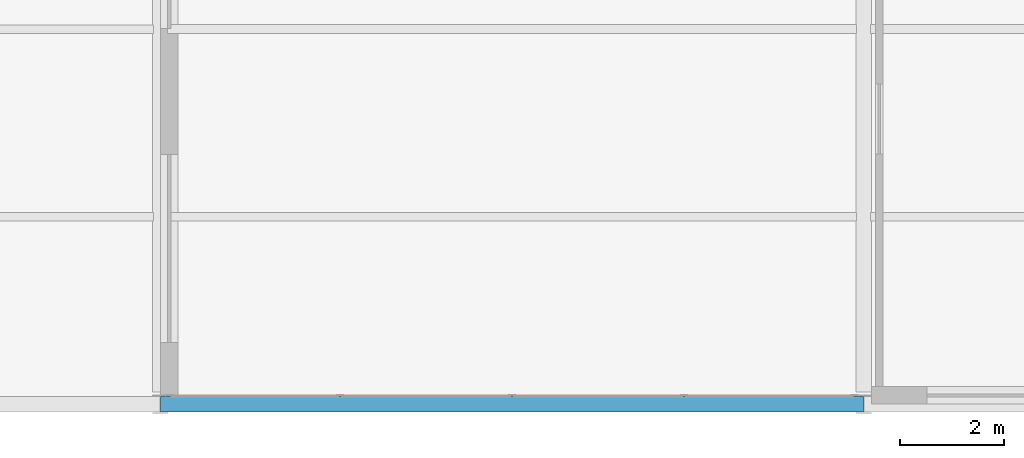
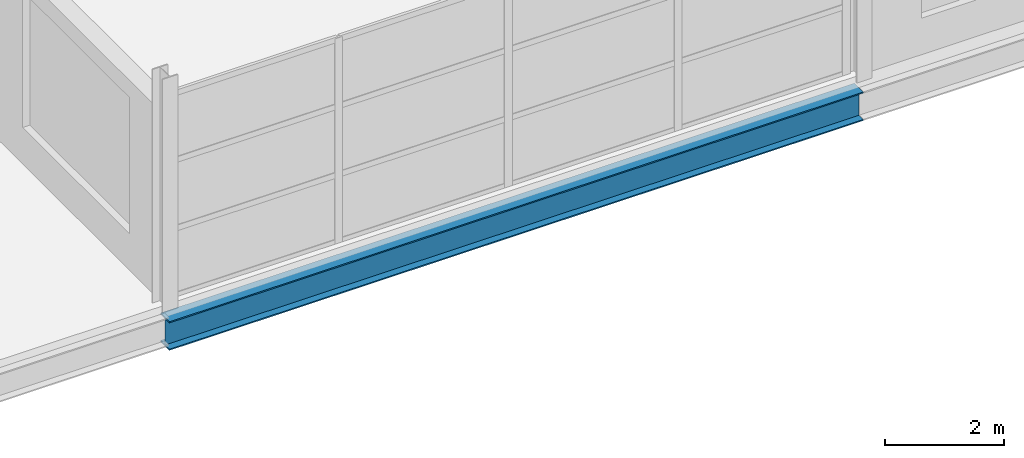
# One storey, part 79 of 134: 1 beam.
"""IFC4 building model written with IfcOpenShell, lengths in metres."""

from ifc_helpers import new_model, si_unit, direction, frame, origin, origin_2d, place, context, subcontext, project, spatial, i_section, extrude, material, material_profile, profile_set, type_object, element, save


model = new_model("IFC4")

# Units and contexts
model_context = context("Model", 3, precision=1e-05, world=origin(), true_north=direction((0.0, 1.0)))
body_context = subcontext(model_context, "Body", "Model", "MODEL_VIEW")
ifc_project = project(units=[si_unit("LENGTHUNIT", "METRE"), si_unit("AREAUNIT", "SQUARE_METRE"), si_unit("VOLUMEUNIT", "CUBIC_METRE"), si_unit("PLANEANGLEUNIT", "RADIAN"), si_unit("MASSUNIT", "GRAM", prefix="KILO")], contexts=[model_context])

# Site, building, storey
site_placement = place(None, origin())
site = spatial("IfcSite", under=ifc_project, at=site_placement, CompositionType="ELEMENT")
building_placement = place(site_placement, origin())
building = spatial("IfcBuilding", under=site, at=building_placement, Name="Tamarisk Ironworks Central Station", CompositionType="ELEMENT")
storey_placement = place(building_placement, frame((0.0, 0.0, 12.60009765625)))
storey = spatial("IfcBuildingStorey", under=building, at=storey_placement, Name="L02", CompositionType="ELEMENT", Elevation=12.60009765625)

# Beam
ifc_material = material(Name="Structural steel S355J2", Category="steel")
ifc_material_profile = material_profile(ifc_material, i_section(OverallWidth=0.300048828125, OverallDepth=0.590087890625, WebThickness=0.012939453125, FlangeThickness=0.02490234375, at=origin_2d()), Name="HEA 600")
ifc_profile_set = profile_set([ifc_material_profile], Name="Structural steel S355J2")
beam_type = type_object("IfcBeamType", Name="BM-G03", PredefinedType="BEAM", material=ifc_profile_set)
beam_placement = place(storey_placement, frame((153.00390625, 0.0, -0.545166015625), z_axis=(1.0, 0.0, 0.0), x_axis=(0.0, 1.0, 0.0)))
element("IfcBeam", 1, at=beam_placement, inside=storey, type_object=beam_type, Name="L02 primary girder X-0298", PredefinedType="BEAM", context=body_context, shape_type="SweptSolid", body=[
    extrude(i_section(OverallWidth=0.300048828125, OverallDepth=0.590087890625, WebThickness=0.012939453125, FlangeThickness=0.02490234375, at=origin_2d()), origin(), (0.0, 0.0, 1.0), 13.4921875),
])

save(model, "model.ifc")
